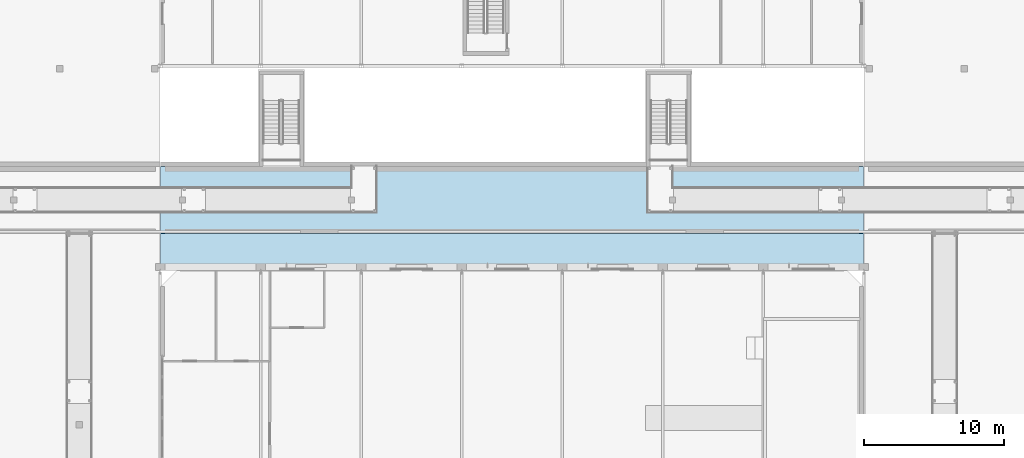
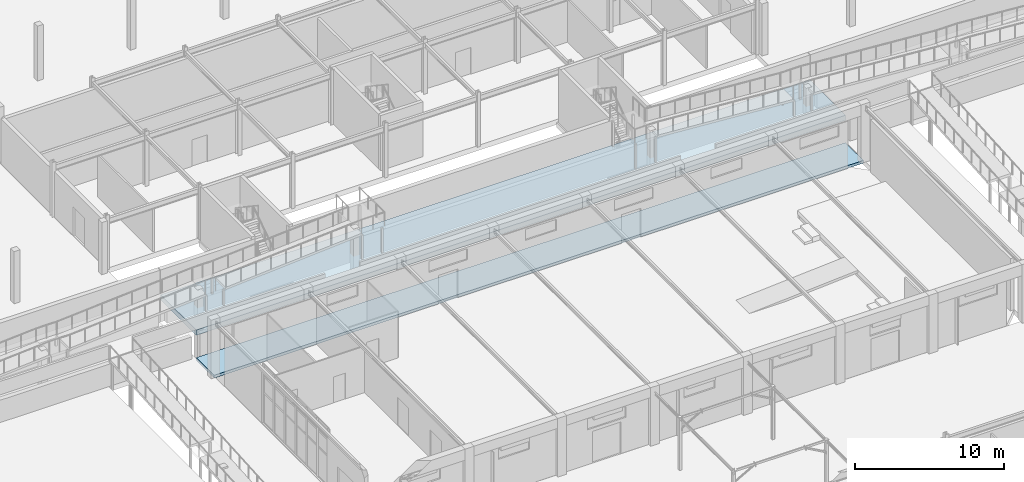
# One storey, part 42 of 85: 2 slabs.
"""IFC4 building model written with IfcOpenShell, lengths in metres."""

from ifc_helpers import new_model, si_unit, direction, frame, origin, place, context, subcontext, project, spatial, polyline, outline, extrude, material, layer, layer_set, type_object, element, save


model = new_model("IFC4")

# Units and contexts
model_context = context("Model", 3, precision=1e-05, world=origin(), true_north=direction((0.0, 1.0)))
body_context = subcontext(model_context, "Body", "Model", "MODEL_VIEW")
ifc_project = project(units=[si_unit("LENGTHUNIT", "METRE"), si_unit("AREAUNIT", "SQUARE_METRE"), si_unit("VOLUMEUNIT", "CUBIC_METRE"), si_unit("PLANEANGLEUNIT", "RADIAN"), si_unit("MASSUNIT", "GRAM", prefix="KILO")], contexts=[model_context])

# Site, building, storey
site_placement = place(None, origin())
site = spatial("IfcSite", under=ifc_project, at=site_placement, CompositionType="ELEMENT")
building_placement = place(site_placement, origin())
building = spatial("IfcBuilding", under=site, at=building_placement, Name="Ochrevale Crest", CompositionType="ELEMENT")
storey_placement = place(building_placement, origin())
storey = spatial("IfcBuildingStorey", under=building, at=storey_placement, Name="L00", CompositionType="ELEMENT", Elevation=0.0)

# Slabs
ifc_material = material(Name="Concrete C40/50", Category="concrete")
ifc_layer_1 = layer(ifc_material, 0.419921875)
ifc_layer_set_1 = layer_set([ifc_layer_1], Name="Concrete C40/50")
slab_type_1 = type_object("IfcSlabType", Name="SLB-PLAZA-340", PredefinedType="FLOOR", material=ifc_layer_set_1)
slab_1_placement = place(storey_placement, frame((0.0, 0.0, 1.830078125)))
element("IfcSlab", 1, at=slab_1_placement, inside=storey, type_object=slab_type_1, Name="Central amphitheatre garden bench Step 2 C", PredefinedType="FLOOR", context=body_context, shape_type="SweptSolid", body=[
    extrude(outline(polyline([(57.625, 67.199951171875), (107.97509765625, 67.199951171875), (107.97509765625, 72.0), (57.625, 72.0), (57.625, 67.199951171875)])), origin(), (0.0, 0.0, 1.0), 0.419921875),
])
ifc_layer_2 = layer(ifc_material, 0.22509765625)
ifc_layer_set_2 = layer_set([ifc_layer_2], Name="Concrete C40/50")
slab_type_2 = type_object("IfcSlabType", Name="SLB-TER-225", PredefinedType="FLOOR", material=ifc_layer_set_2)
slab_2_placement = place(storey_placement, frame((0.0, 0.0, -0.22509765625)))
element("IfcSlab", 2, at=slab_2_placement, inside=storey, type_object=slab_type_2, Name="Community Hall north courtyard promenade", PredefinedType="FLOOR", context=body_context, shape_type="SweptSolid", body=[
    extrude(outline(polyline([(57.625, 64.800048828125), (107.97509765625, 64.800048828125), (107.97509765625, 67.199951171875), (57.625, 67.199951171875), (57.625, 64.800048828125)])), origin(), (0.0, 0.0, 1.0), 0.22509765625),
])

save(model, "model.ifc")
